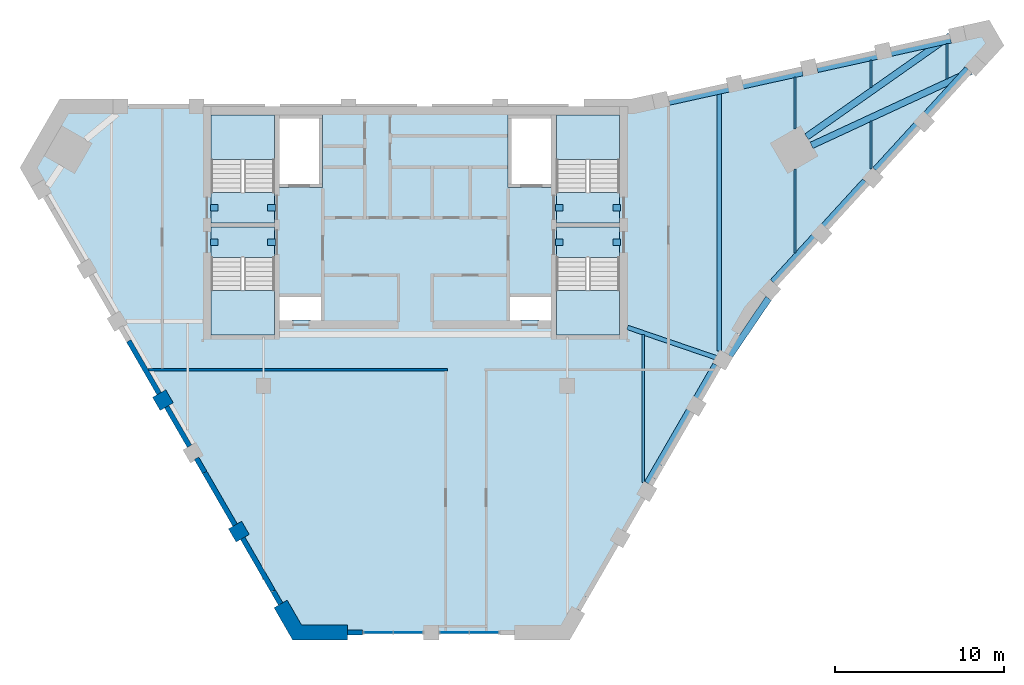
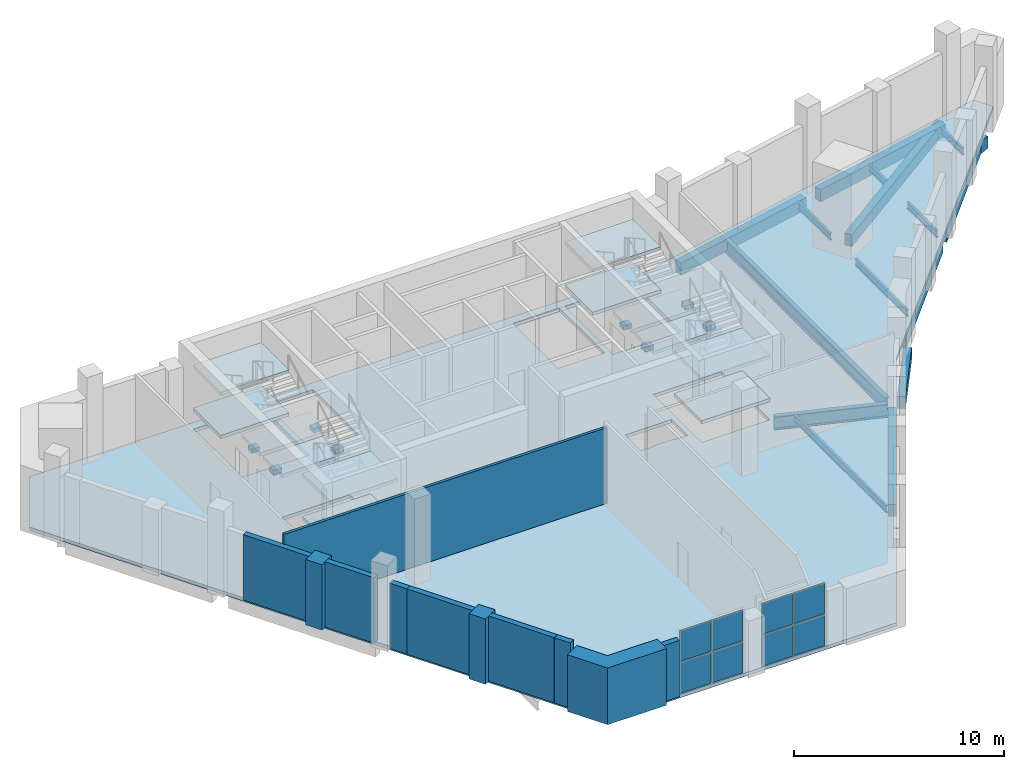
# One storey, part 3 of 9: 24 beams, 13 slabs, 11 walls, 8 plates, 6 elements without a shape of their own.
"""IFC4 building model written with IfcOpenShell, lengths in metres."""

from ifc_helpers import new_model, si_unit, direction, frame, frame_2d, origin, origin_2d, place, context, subcontext, project, spatial, polyline, rectangle, i_section, outline, extrude, material, layer, layer_set, material_profile, profile_set, type_object, element, aggregate, save


model = new_model("IFC4")

# Units and contexts
model_context = context("Model", 3, precision=1e-05, world=origin(), true_north=direction((0.0, 1.0)))
body_context = subcontext(model_context, "Body", "Model", "MODEL_VIEW")
ifc_project = project(units=[si_unit("LENGTHUNIT", "METRE"), si_unit("AREAUNIT", "SQUARE_METRE"), si_unit("VOLUMEUNIT", "CUBIC_METRE"), si_unit("PLANEANGLEUNIT", "RADIAN"), si_unit("MASSUNIT", "GRAM", prefix="KILO")], contexts=[model_context])

# Site, building, storey
site_placement = place(None, origin())
site = spatial("IfcSite", under=ifc_project, at=site_placement, CompositionType="ELEMENT")
building_placement = place(site_placement, origin())
building = spatial("IfcBuilding", under=site, at=building_placement, Name="Calabash Gate Tower", CompositionType="ELEMENT")
storey_placement = place(building_placement, frame((0.0, 0.0, 320.5)))
storey = spatial("IfcBuildingStorey", under=building, at=storey_placement, Name="L75", CompositionType="ELEMENT", Elevation=320.5)

# Beams
ifc_material_1 = material(Name="Concrete C50/60", Category="concrete")
ifc_material_profile_1 = material_profile(ifc_material_1, rectangle(XDim=0.39990234375, YDim=0.699951171875, at=origin_2d()))
ifc_profile_set_1 = profile_set([ifc_material_profile_1], Name="Concrete C50/60")
beam_type_1 = type_object("IfcBeamType", Name="Edge beam RC 400x700 Concrete C50/60", PredefinedType="BEAM", material=ifc_profile_set_1)
beam_1_placement = place(storey_placement, frame((13.760009765625, -3.27294921875, -0.550048828125), z_axis=(0.500104308266, 0.865965173003, 0.0), x_axis=(-0.865965173003, 0.500104308266, 0.0)))
element("IfcBeam", 1, at=beam_1_placement, inside=storey, type_object=beam_type_1, Name="Edge beam L75 2", PredefinedType="BEAM", context=body_context, shape_type="SweptSolid", body=[
    extrude(rectangle(XDim=0.39990234375, YDim=0.699951171875, at=origin_2d()), origin(), (0.0, 0.0, 1.0), 8.098388671875),
])
beam_2_placement = place(storey_placement, frame((18.623046875, 4.283935546875, -0.550048828125), z_axis=(0.561853107026, 0.827237019315, 0.0), x_axis=(-0.827237019315, 0.561853107026, 0.0)))
element("IfcBeam", 2, at=beam_2_placement, inside=storey, type_object=beam_type_1, Name="Edge beam L75 3", PredefinedType="BEAM", context=body_context, shape_type="SweptSolid", body=[
    extrude(rectangle(XDim=0.39990234375, YDim=0.699951171875, at=origin_2d()), origin(), (0.0, 0.0, 1.0), 4.107666015625),
])
beam_3_placement = place(storey_placement, frame((21.18701171875, 8.652099609375, -0.550048828125), z_axis=(0.674873802315, 0.737933161573, 0.0), x_axis=(-0.737933161573, 0.674873802315, 0.0)))
element("IfcBeam", 3, at=beam_3_placement, inside=storey, type_object=beam_type_1, Name="Edge beam L75 4", PredefinedType="BEAM", context=body_context, shape_type="SweptSolid", body=[
    extrude(rectangle(XDim=0.39990234375, YDim=0.699951171875, at=origin_2d()), origin(), (0.0, 0.0, 1.0), 8.099365234375),
])
beam_4_placement = place(storey_placement, frame((27.260009765625, 15.29296875, -0.550048828125), z_axis=(0.67486440312, 0.737941757459, 0.0), x_axis=(-0.737941757459, 0.67486440312, 0.0)))
element("IfcBeam", 4, at=beam_4_placement, inside=storey, type_object=beam_type_1, Name="Edge beam L75 5", PredefinedType="BEAM", context=body_context, shape_type="SweptSolid", body=[
    extrude(rectangle(XDim=0.39990234375, YDim=0.699951171875, at=origin_2d()), origin(), (0.0, 0.0, 1.0), 8.100830078125),
])
beam_5_placement = place(storey_placement, frame((32.924072265625, 21.1298828125, -0.550048828125), z_axis=(-0.907165927894, -0.420773073364, 0.0), x_axis=(0.420773073364, -0.907165927894, 0.0)))
element("IfcBeam", 5, at=beam_5_placement, inside=storey, type_object=beam_type_1, Name="Edge beam L75 6", PredefinedType="BEAM", context=body_context, shape_type="SweptSolid", body=[
    extrude(rectangle(XDim=0.39990234375, YDim=0.699951171875, at=origin_2d()), origin(), (0.0, 0.0, 1.0), 10.413818359375),
])
beam_6_placement = place(storey_placement, frame((23.18310546875, 17.25390625, -0.550048828125), z_axis=(0.817868224599, 0.575405567571, 0.0), x_axis=(-0.575405567571, 0.817868224599, 0.0)))
element("IfcBeam", 6, at=beam_6_placement, inside=storey, type_object=beam_type_1, Name="Edge beam L75 7", PredefinedType="BEAM", context=body_context, shape_type="SweptSolid", body=[
    extrude(rectangle(XDim=0.39990234375, YDim=0.699951171875, at=origin_2d()), origin(), (0.0, 0.0, 1.0), 10.396484375),
])
beam_7_placement = place(storey_placement, frame((31.72705078125, 23.006103515625, -0.550048828125), z_axis=(-0.976492437334, -0.215551663945, 0.0), x_axis=(0.215551663945, -0.976492437334, 0.0)))
element("IfcBeam", 7, at=beam_7_placement, inside=storey, type_object=beam_type_1, Name="Edge beam L75 8", PredefinedType="BEAM", context=body_context, shape_type="SweptSolid", body=[
    extrude(rectangle(XDim=0.39990234375, YDim=0.699951171875, at=origin_2d()), origin(), (0.0, 0.0, 1.0), 8.1005859375),
])
beam_8_placement = place(storey_placement, frame((22.93603515625, 21.06591796875, -0.550048828125), z_axis=(-0.976517152373, -0.215439669332, 0.0), x_axis=(0.215439669332, -0.976517152373, 0.0)))
element("IfcBeam", 8, at=beam_8_placement, inside=storey, type_object=beam_type_1, Name="Edge beam L75 9", PredefinedType="BEAM", context=body_context, shape_type="SweptSolid", body=[
    extrude(rectangle(XDim=0.39990234375, YDim=0.699951171875, at=origin_2d()), origin(), (0.0, 0.0, 1.0), 8.09912109375),
])
ifc_material_2 = material(Name="Steel ASTM A992 Gr50", Category="steel")
ifc_material_profile_2 = material_profile(ifc_material_2, i_section(OverallWidth=0.1396484375, OverallDepth=0.398681640625, WebThickness=0.00634765625, FlangeThickness=0.0087890625, FilletRadius=0.01025390625, at=origin_2d()))
ifc_profile_set_2 = profile_set([ifc_material_profile_2], Name="Steel ASTM A992 Gr50")
beam_type_2 = type_object("IfcBeamType", Name="Floor beam W16x26 ASTM A992 Gr50", PredefinedType="BEAM", material=ifc_profile_set_2)
beam_9_placement = place(storey_placement, frame((13.5, -3.237060546875, -0.39892578125), z_axis=(0.0, 1.0, 0.0), x_axis=(-1.0, 0.0, 0.0)))
element("IfcBeam", 9, at=beam_9_placement, inside=storey, type_object=beam_type_2, Name="Floor beam L75 7", PredefinedType="BEAM", context=body_context, shape_type="SweptSolid", body=[
    extrude(i_section(OverallWidth=0.1396484375, OverallDepth=0.398681640625, WebThickness=0.00634765625, FlangeThickness=0.0087890625, FilletRadius=0.01025390625, at=origin_2d()), origin(), (0.0, 0.0, 1.0), 8.76806640625),
])
beam_10_placement = place(storey_placement, frame((22.5, 10.3720703125, -0.39892578125), z_axis=(0.0, 1.0, 0.0), x_axis=(-1.0, 0.0, 0.0)))
element("IfcBeam", 10, at=beam_10_placement, inside=storey, type_object=beam_type_2, Name="Floor beam L75 9", PredefinedType="BEAM", context=body_context, shape_type="SweptSolid", body=[
    extrude(i_section(OverallWidth=0.1396484375, OverallDepth=0.398681640625, WebThickness=0.00634765625, FlangeThickness=0.0087890625, FilletRadius=0.01025390625, at=origin_2d()), origin(), (0.0, 0.0, 1.0), 4.969970703125),
])
beam_11_placement = place(storey_placement, frame((22.5, 17.702880859375, -0.39892578125), z_axis=(0.0, 1.0, 0.0), x_axis=(-1.0, 0.0, 0.0)))
element("IfcBeam", 11, at=beam_11_placement, inside=storey, type_object=beam_type_2, Name="Floor beam L75 10", PredefinedType="BEAM", context=body_context, shape_type="SweptSolid", body=[
    extrude(i_section(OverallWidth=0.1396484375, OverallDepth=0.398681640625, WebThickness=0.00634765625, FlangeThickness=0.0087890625, FilletRadius=0.01025390625, at=origin_2d()), origin(), (0.0, 0.0, 1.0), 3.09423828125),
])
beam_12_placement = place(storey_placement, frame((27.0, 15.35693359375, -0.39892578125), z_axis=(0.0, 1.0, 0.0), x_axis=(-1.0, 0.0, 0.0)))
element("IfcBeam", 12, at=beam_12_placement, inside=storey, type_object=beam_type_2, Name="Floor beam L75 11", PredefinedType="BEAM", context=body_context, shape_type="SweptSolid", body=[
    extrude(i_section(OverallWidth=0.1396484375, OverallDepth=0.398681640625, WebThickness=0.00634765625, FlangeThickness=0.0087890625, FilletRadius=0.01025390625, at=origin_2d()), origin(), (0.0, 0.0, 1.0), 2.8271484375),
])
beam_13_placement = place(storey_placement, frame((27.0, 20.172119140625, -0.39892578125), z_axis=(0.0, 1.0, 0.0), x_axis=(-1.0, 0.0, 0.0)))
element("IfcBeam", 13, at=beam_13_placement, inside=storey, type_object=beam_type_2, Name="Floor beam L75 12", PredefinedType="BEAM", context=body_context, shape_type="SweptSolid", body=[
    extrude(i_section(OverallWidth=0.1396484375, OverallDepth=0.398681640625, WebThickness=0.00634765625, FlangeThickness=0.0087890625, FilletRadius=0.01025390625, at=origin_2d()), origin(), (0.0, 0.0, 1.0), 1.617919921875),
])
beam_14_placement = place(storey_placement, frame((31.5, 20.66796875, -0.39892578125), z_axis=(0.0, 1.0, 0.0), x_axis=(-1.0, 0.0, 0.0)))
element("IfcBeam", 14, at=beam_14_placement, inside=storey, type_object=beam_type_2, Name="Floor beam L75 13", PredefinedType="BEAM", context=body_context, shape_type="SweptSolid", body=[
    extrude(i_section(OverallWidth=0.1396484375, OverallDepth=0.398681640625, WebThickness=0.00634765625, FlangeThickness=0.0087890625, FilletRadius=0.01025390625, at=origin_2d()), origin(), (0.0, 0.0, 1.0), 2.114990234375),
])
ifc_material_3 = material(Name="Steel ASTM A992 Gr50", Category="steel")
ifc_material_profile_3 = material_profile(ifc_material_3, i_section(OverallWidth=0.2666015625, OverallDepth=0.7568359375, WebThickness=0.013916015625, FlangeThickness=0.019287109375, FilletRadius=0.0166015625, at=origin_2d()))
ifc_profile_set_3 = profile_set([ifc_material_profile_3], Name="Steel ASTM A992 Gr50")
beam_type_3 = type_object("IfcBeamType", Name="Floor beam W30x108 ASTM A992 Gr50", PredefinedType="BEAM", material=ifc_profile_set_3)
beam_15_placement = place(storey_placement, frame((18.0, 4.547119140625, -0.577880859375), z_axis=(0.0, 1.0, 0.0), x_axis=(-1.0, 0.0, 0.0)))
element("IfcBeam", 15, at=beam_15_placement, inside=storey, type_object=beam_type_3, Name="Floor beam L75 8", PredefinedType="BEAM", context=body_context, shape_type="SweptSolid", body=[
    extrude(i_section(OverallWidth=0.2666015625, OverallDepth=0.7568359375, WebThickness=0.013916015625, FlangeThickness=0.019287109375, FilletRadius=0.0166015625, at=origin_2d()), origin(), (0.0, 0.0, 1.0), 15.2568359375),
])
ifc_material_4 = material(Name="Steel ASTM A992 Gr50", Category="steel")
ifc_material_profile_4 = material_profile(ifc_material_4, i_section(OverallWidth=0.2666015625, OverallDepth=0.77978515625, WebThickness=0.0166015625, FlangeThickness=0.030029296875, FilletRadius=0.0166015625, at=origin_2d()))
ifc_profile_set_4 = profile_set([ifc_material_profile_4], Name="Steel ASTM A992 Gr50")
beam_type_4 = type_object("IfcBeamType", Name="Girder W30x148 ASTM A992 Gr50", PredefinedType="BEAM", material=ifc_profile_set_4)
beam_16_placement = place(storey_placement, frame((17.803955078125, 4.16796875, -0.590087890625), z_axis=(-0.946191727355, 0.323606574539, 0.0), x_axis=(-0.323606574539, -0.946191727355, 0.0)))
element("IfcBeam", 16, at=beam_16_placement, inside=storey, type_object=beam_type_4, Name="Girder L75 3", PredefinedType="BEAM", context=body_context, shape_type="SweptSolid", body=[
    extrude(i_section(OverallWidth=0.2666015625, OverallDepth=0.77978515625, WebThickness=0.0166015625, FlangeThickness=0.030029296875, FilletRadius=0.0166015625, at=origin_2d()), origin(), (0.0, 0.0, 1.0), 5.531494140625),
])
ifc_material_5 = material(Name="Concrete C60/75", Category="concrete")
ifc_material_profile_5 = material_profile(ifc_material_5, rectangle(XDim=0.39990234375, YDim=0.25, at=origin_2d()))
ifc_profile_set_5 = profile_set([ifc_material_profile_5], Name="Concrete C60/75")
beam_type_5 = type_object("IfcBeamType", Name="Landing corbel RC 400x250 Concrete C60/75", PredefinedType="BEAM", material=ifc_profile_set_5)
for number, where, z_axis, x_axis, name in (
    (17, (-12.14990234375, 13.052978515625, 2.174072265625), (1.0, 0.0, 0.0), (0.0, 1.0, 0.0), "Landing corbel ST1-L75/L2 west"),
    (18, (-8.300048828125, 13.052978515625, 2.174072265625), (-1.0, 0.0, 0.0), (0.0, -1.0, 0.0), "Landing corbel ST1-L75/L2 east"),
    (19, (-12.14990234375, 11.0029296875, 2.174072265625), (1.0, 0.0, 0.0), (0.0, 1.0, 0.0), "Landing corbel ST2-L75/L2 west"),
    (20, (-8.300048828125, 11.0029296875, 2.174072265625), (-1.0, 0.0, 0.0), (0.0, -1.0, 0.0), "Landing corbel ST2-L75/L2 east"),
    (21, (8.300048828125, 13.052978515625, 2.174072265625), (1.0, 0.0, 0.0), (0.0, 1.0, 0.0), "Landing corbel ST3-L75/L2 west"),
    (22, (12.14990234375, 13.052978515625, 2.174072265625), (-1.0, 0.0, 0.0), (0.0, -1.0, 0.0), "Landing corbel ST3-L75/L2 east"),
    (23, (8.300048828125, 11.0029296875, 2.174072265625), (1.0, 0.0, 0.0), (0.0, 1.0, 0.0), "Landing corbel ST4-L75/L2 west"),
    (24, (12.14990234375, 11.0029296875, 2.174072265625), (-1.0, 0.0, 0.0), (0.0, -1.0, 0.0), "Landing corbel ST4-L75/L2 east"),
):
    element("IfcBeam", number, at=place(storey_placement, frame(where, z_axis=z_axis, x_axis=x_axis)), inside=storey, type_object=beam_type_5, Name=name, PredefinedType="BEAM", context=body_context, shape_type="SweptSolid", body=[
        extrude(rectangle(XDim=0.39990234375, YDim=0.25, at=origin_2d()), origin(), (0.0, 0.0, 1.0), 0.449951171875),
    ])

# Curtain wall, plates
ifc_material_6 = material(Name="Anodised aluminium frame, bronze finish, clear laminated impact-rated glazing", Category="aluminium")
curtain_wall_type = type_object("IfcCurtainWallType", Name="Curtain wall CWV crown wall", PredefinedType="NOTDEFINED", material=ifc_material_6)
curtain_wall_1_placement = place(storey_placement, origin())
curtain_wall_1 = element("IfcCurtainWall", 25, at=curtain_wall_1_placement, inside=storey, type_object=curtain_wall_type, Name="Curtain wall CWV L75 crown1.1", PredefinedType="NOTDEFINED")
ifc_material_7 = material(Name="Clear laminated impact-rated glazing", Category="glass")
ifc_layer_1 = layer(ifc_material_7, 0.0439453125)
ifc_layer_set_1 = layer_set([ifc_layer_1], Name="Glass panel CWV 44")
plate_type = type_object("IfcPlateType", Name="Glass panel CWV 44", PredefinedType="CURTAIN_PANEL", material=ifc_layer_set_1)
plate_1_placement = place(storey_placement, frame((-2.1953125, -12.1220703125, 0.074951171875), z_axis=(0.0, 0.0, 1.0), x_axis=(1.0, 0.0, 0.0)))
plate_1 = element("IfcPlate", 26, at=plate_1_placement, type_object=plate_type, Name="CWV panel 1.1", PredefinedType="CURTAIN_PANEL", context=body_context, shape_type="SweptSolid", body=[
    extrude(rectangle(XDim=1.6875, YDim=0.0439453125, at=origin_2d()), origin(), (0.0, 0.0, 1.0), 1.78759765625),
])
plate_2_placement = place(storey_placement, frame((-2.1953125, -12.1220703125, 1.9375), z_axis=(0.0, 0.0, 1.0), x_axis=(1.0, 0.0, 0.0)))
plate_2 = element("IfcPlate", 27, at=plate_2_placement, type_object=plate_type, Name="CWV panel 1.2", PredefinedType="CURTAIN_PANEL", context=body_context, shape_type="SweptSolid", body=[
    extrude(rectangle(XDim=1.6875, YDim=0.0439453125, at=origin_2d()), origin(), (0.0, 0.0, 1.0), 1.78759765625),
])
plate_3_placement = place(storey_placement, frame((-0.432861328125, -12.1220703125, 0.074951171875), z_axis=(0.0, 0.0, 1.0), x_axis=(1.0, 0.0, 0.0)))
plate_3 = element("IfcPlate", 28, at=plate_3_placement, type_object=plate_type, Name="CWV panel 2.1", PredefinedType="CURTAIN_PANEL", context=body_context, shape_type="SweptSolid", body=[
    extrude(rectangle(XDim=1.6875, YDim=0.0439453125, at=origin_2d()), origin(), (0.0, 0.0, 1.0), 1.78759765625),
])
plate_4_placement = place(storey_placement, frame((-0.432861328125, -12.1220703125, 1.9375), z_axis=(0.0, 0.0, 1.0), x_axis=(1.0, 0.0, 0.0)))
plate_4 = element("IfcPlate", 29, at=plate_4_placement, type_object=plate_type, Name="CWV panel 2.2", PredefinedType="CURTAIN_PANEL", context=body_context, shape_type="SweptSolid", body=[
    extrude(rectangle(XDim=1.6875, YDim=0.0439453125, at=origin_2d()), origin(), (0.0, 0.0, 1.0), 1.78759765625),
])
aggregate(curtain_wall_1, [plate_1, plate_2, plate_3, plate_4])

curtain_wall_2_placement = place(storey_placement, origin())
curtain_wall_2 = element("IfcCurtainWall", 30, at=curtain_wall_2_placement, inside=storey, type_object=curtain_wall_type, Name="Curtain wall CWV L75 crown1.2", PredefinedType="NOTDEFINED")
plate_5_placement = place(storey_placement, frame((2.3046875, -12.1220703125, 0.074951171875), z_axis=(0.0, 0.0, 1.0), x_axis=(1.0, 0.0, 0.0)))
plate_5 = element("IfcPlate", 31, at=plate_5_placement, type_object=plate_type, Name="CWV panel 1.1", PredefinedType="CURTAIN_PANEL", context=body_context, shape_type="SweptSolid", body=[
    extrude(rectangle(XDim=1.6875, YDim=0.0439453125, at=origin_2d()), origin(), (0.0, 0.0, 1.0), 1.78759765625),
])
plate_6_placement = place(storey_placement, frame((2.3046875, -12.1220703125, 1.9375), z_axis=(0.0, 0.0, 1.0), x_axis=(1.0, 0.0, 0.0)))
plate_6 = element("IfcPlate", 32, at=plate_6_placement, type_object=plate_type, Name="CWV panel 1.2", PredefinedType="CURTAIN_PANEL", context=body_context, shape_type="SweptSolid", body=[
    extrude(rectangle(XDim=1.6875, YDim=0.0439453125, at=origin_2d()), origin(), (0.0, 0.0, 1.0), 1.78759765625),
])
plate_7_placement = place(storey_placement, frame((4.067138671875, -12.1220703125, 0.074951171875), z_axis=(0.0, 0.0, 1.0), x_axis=(1.0, 0.0, 0.0)))
plate_7 = element("IfcPlate", 33, at=plate_7_placement, type_object=plate_type, Name="CWV panel 2.1", PredefinedType="CURTAIN_PANEL", context=body_context, shape_type="SweptSolid", body=[
    extrude(rectangle(XDim=1.6875, YDim=0.0439453125, at=origin_2d()), origin(), (0.0, 0.0, 1.0), 1.78759765625),
])
plate_8_placement = place(storey_placement, frame((4.067138671875, -12.1220703125, 1.9375), z_axis=(0.0, 0.0, 1.0), x_axis=(1.0, 0.0, 0.0)))
plate_8 = element("IfcPlate", 34, at=plate_8_placement, type_object=plate_type, Name="CWV panel 2.2", PredefinedType="CURTAIN_PANEL", context=body_context, shape_type="SweptSolid", body=[
    extrude(rectangle(XDim=1.6875, YDim=0.0439453125, at=origin_2d()), origin(), (0.0, 0.0, 1.0), 1.78759765625),
])
aggregate(curtain_wall_2, [plate_5, plate_6, plate_7, plate_8])

# Slab
ifc_material_8 = material(Name="Concrete C40/50", Category="concrete")
ifc_layer_2 = layer(ifc_material_8, 0.199951171875)
ifc_layer_set_2 = layer_set([ifc_layer_2], Name="Reinforced concrete floor slab 200 Concrete C40/50")
slab_type_1 = type_object("IfcSlabType", Name="Reinforced concrete floor slab 200 Concrete C40/50", PredefinedType="FLOOR", material=ifc_layer_set_2)
slab_1_placement = place(storey_placement, frame((0.0, 0.0, -0.199951171875)))
element("IfcSlab", 35, at=slab_1_placement, inside=storey, type_object=slab_type_1, Name="Floor slab L75", PredefinedType="FLOOR", context=body_context, shape_type="SweptSolid", body=[
    extrude(outline(polyline([(-22.9111328125, 15.41796875), (-20.812744140625, 19.052490234375), (12.88134765625, 19.052490234375), (33.783935546875, 23.664794921875), (34.326904296875, 22.724365234375), (19.88134765625, 6.92822265625), (8.8828125, -12.1220703125), (-7.010986328125, -12.1220703125), (-22.9111328125, 15.41796875)]), holes=[polyline([(-8.050048828125, 18.552490234375), (-8.050048828125, 14.252685546875), (-5.5, 14.252685546875), (-5.5, 18.552490234375), (-8.050048828125, 18.552490234375)]), polyline([(8.050048828125, 18.552490234375), (5.5, 18.552490234375), (5.5, 14.252685546875), (8.050048828125, 14.252685546875), (8.050048828125, 18.552490234375)]), polyline([(-8.35009765625, 18.552490234375), (-12.10009765625, 18.552490234375), (-12.10009765625, 13.95263671875), (-8.35009765625, 13.95263671875), (-8.35009765625, 18.552490234375)]), polyline([(-12.10009765625, 10.1025390625), (-12.10009765625, 5.502685546875), (-8.35009765625, 5.502685546875), (-8.35009765625, 10.1025390625), (-12.10009765625, 10.1025390625)]), polyline([(8.35009765625, 13.95263671875), (12.10009765625, 13.95263671875), (12.10009765625, 18.552490234375), (8.35009765625, 18.552490234375), (8.35009765625, 13.95263671875)]), polyline([(12.10009765625, 5.502685546875), (12.10009765625, 10.1025390625), (8.35009765625, 10.1025390625), (8.35009765625, 5.502685546875), (12.10009765625, 5.502685546875)]), polyline([(-7.324951171875, 6.3525390625), (-7.324951171875, 6.402587890625), (-6.22509765625, 6.402587890625), (-6.22509765625, 6.3525390625), (-5.5, 6.3525390625), (-5.5, 7.8525390625), (-8.050048828125, 7.8525390625), (-8.050048828125, 6.3525390625), (-7.324951171875, 6.3525390625)]), polyline([(5.5, 6.3525390625), (6.22509765625, 6.3525390625), (6.22509765625, 6.402587890625), (7.324951171875, 6.402587890625), (7.324951171875, 6.3525390625), (8.050048828125, 6.3525390625), (8.050048828125, 7.8525390625), (5.5, 7.8525390625), (5.5, 6.3525390625)])]), origin(), (0.0, 0.0, 1.0), 0.199951171875),
])

# Stair, slabs
ifc_material_9 = material(Name="Concrete C40/50", Category="concrete")
stair_type = type_object("IfcStairType", Name="Exit stair 32 risers of 156.2 mm", PredefinedType="HALF_TURN_STAIR", material=ifc_material_9)
stair_1_placement = place(storey_placement, origin())
stair_1 = element("IfcStair", 36, at=stair_1_placement, inside=storey, type_object=stair_type, Name="L75 Exit stair ST1", PredefinedType="HALF_TURN_STAIR")
ifc_material_10 = material(Name="Concrete C40/50", Category="concrete")
ifc_layer_3 = layer(ifc_material_10, 0.199951171875)
ifc_layer_set_3 = layer_set([ifc_layer_3], Name="Stair landing SL200")
slab_type_2 = type_object("IfcSlabType", Name="Stair landing SL200", PredefinedType="LANDING", material=ifc_layer_set_3)
slab_2_placement = place(storey_placement, frame((0.0, 0.0, 1.050048828125)))
slab_2 = element("IfcSlab", 37, at=slab_2_placement, type_object=slab_type_2, Name="ST1 landing 1", PredefinedType="LANDING", context=body_context, shape_type="SweptSolid", body=[
    extrude(outline(polyline([(-8.35009765625, 15.905517578125), (-8.35009765625, 18.552490234375), (-12.10009765625, 18.552490234375), (-12.10009765625, 15.905517578125), (-8.35009765625, 15.905517578125)])), origin(), (0.0, 0.0, 1.0), 0.199951171875),
])
slab_3_placement = place(storey_placement, frame((0.0, 0.0, 2.300048828125)))
slab_3 = element("IfcSlab", 38, at=slab_3_placement, type_object=slab_type_2, Name="ST1 landing 2", PredefinedType="LANDING", context=body_context, shape_type="SweptSolid", body=[
    extrude(outline(polyline([(-8.35009765625, 12.152587890625), (-8.35009765625, 13.95263671875), (-12.10009765625, 13.95263671875), (-12.10009765625, 12.152587890625), (-8.35009765625, 12.152587890625)])), origin(), (0.0, 0.0, 1.0), 0.199951171875),
])
slab_4_placement = place(storey_placement, frame((0.0, 0.0, 3.550048828125)))
slab_4 = element("IfcSlab", 39, at=slab_4_placement, type_object=slab_type_2, Name="ST1 landing 3", PredefinedType="LANDING", context=body_context, shape_type="SweptSolid", body=[
    extrude(outline(polyline([(-8.35009765625, 15.905517578125), (-8.35009765625, 18.552490234375), (-12.10009765625, 18.552490234375), (-12.10009765625, 15.905517578125), (-8.35009765625, 15.905517578125)])), origin(), (0.0, 0.0, 1.0), 0.199951171875),
])
aggregate(stair_1, [slab_2, slab_3, slab_4])

stair_2_placement = place(storey_placement, origin())
stair_2 = element("IfcStair", 40, at=stair_2_placement, inside=storey, type_object=stair_type, Name="L75 Exit stair ST2", PredefinedType="HALF_TURN_STAIR")
slab_5_placement = place(storey_placement, frame((0.0, 0.0, 1.050048828125)))
slab_5 = element("IfcSlab", 41, at=slab_5_placement, type_object=slab_type_2, Name="ST2 landing 1", PredefinedType="LANDING", context=body_context, shape_type="SweptSolid", body=[
    extrude(outline(polyline([(-12.10009765625, 8.149658203125), (-12.10009765625, 5.502685546875), (-8.35009765625, 5.502685546875), (-8.35009765625, 8.149658203125), (-12.10009765625, 8.149658203125)])), origin(), (0.0, 0.0, 1.0), 0.199951171875),
])
slab_6_placement = place(storey_placement, frame((0.0, 0.0, 2.300048828125)))
slab_6 = element("IfcSlab", 42, at=slab_6_placement, type_object=slab_type_2, Name="ST2 landing 2", PredefinedType="LANDING", context=body_context, shape_type="SweptSolid", body=[
    extrude(outline(polyline([(-12.10009765625, 11.902587890625), (-12.10009765625, 10.1025390625), (-8.35009765625, 10.1025390625), (-8.35009765625, 11.902587890625), (-12.10009765625, 11.902587890625)])), origin(), (0.0, 0.0, 1.0), 0.199951171875),
])
slab_7_placement = place(storey_placement, frame((0.0, 0.0, 3.550048828125)))
slab_7 = element("IfcSlab", 43, at=slab_7_placement, type_object=slab_type_2, Name="ST2 landing 3", PredefinedType="LANDING", context=body_context, shape_type="SweptSolid", body=[
    extrude(outline(polyline([(-12.10009765625, 8.149658203125), (-12.10009765625, 5.502685546875), (-8.35009765625, 5.502685546875), (-8.35009765625, 8.149658203125), (-12.10009765625, 8.149658203125)])), origin(), (0.0, 0.0, 1.0), 0.199951171875),
])
aggregate(stair_2, [slab_5, slab_6, slab_7])

stair_3_placement = place(storey_placement, origin())
stair_3 = element("IfcStair", 44, at=stair_3_placement, inside=storey, type_object=stair_type, Name="L75 Exit stair ST3", PredefinedType="HALF_TURN_STAIR")
slab_8_placement = place(storey_placement, frame((0.0, 0.0, 1.050048828125)))
slab_8 = element("IfcSlab", 45, at=slab_8_placement, type_object=slab_type_2, Name="ST3 landing 1", PredefinedType="LANDING", context=body_context, shape_type="SweptSolid", body=[
    extrude(outline(polyline([(12.10009765625, 15.905517578125), (12.10009765625, 18.552490234375), (8.35009765625, 18.552490234375), (8.35009765625, 15.905517578125), (12.10009765625, 15.905517578125)])), origin(), (0.0, 0.0, 1.0), 0.199951171875),
])
slab_9_placement = place(storey_placement, frame((0.0, 0.0, 2.300048828125)))
slab_9 = element("IfcSlab", 46, at=slab_9_placement, type_object=slab_type_2, Name="ST3 landing 2", PredefinedType="LANDING", context=body_context, shape_type="SweptSolid", body=[
    extrude(outline(polyline([(12.10009765625, 12.152587890625), (12.10009765625, 13.95263671875), (8.35009765625, 13.95263671875), (8.35009765625, 12.152587890625), (12.10009765625, 12.152587890625)])), origin(), (0.0, 0.0, 1.0), 0.199951171875),
])
slab_10_placement = place(storey_placement, frame((0.0, 0.0, 3.550048828125)))
slab_10 = element("IfcSlab", 47, at=slab_10_placement, type_object=slab_type_2, Name="ST3 landing 3", PredefinedType="LANDING", context=body_context, shape_type="SweptSolid", body=[
    extrude(outline(polyline([(12.10009765625, 15.905517578125), (12.10009765625, 18.552490234375), (8.35009765625, 18.552490234375), (8.35009765625, 15.905517578125), (12.10009765625, 15.905517578125)])), origin(), (0.0, 0.0, 1.0), 0.199951171875),
])
aggregate(stair_3, [slab_8, slab_9, slab_10])

stair_4_placement = place(storey_placement, origin())
stair_4 = element("IfcStair", 48, at=stair_4_placement, inside=storey, type_object=stair_type, Name="L75 Exit stair ST4", PredefinedType="HALF_TURN_STAIR")
slab_11_placement = place(storey_placement, frame((0.0, 0.0, 1.050048828125)))
slab_11 = element("IfcSlab", 49, at=slab_11_placement, type_object=slab_type_2, Name="ST4 landing 1", PredefinedType="LANDING", context=body_context, shape_type="SweptSolid", body=[
    extrude(outline(polyline([(8.35009765625, 8.149658203125), (8.35009765625, 5.502685546875), (12.10009765625, 5.502685546875), (12.10009765625, 8.149658203125), (8.35009765625, 8.149658203125)])), origin(), (0.0, 0.0, 1.0), 0.199951171875),
])
slab_12_placement = place(storey_placement, frame((0.0, 0.0, 2.300048828125)))
slab_12 = element("IfcSlab", 50, at=slab_12_placement, type_object=slab_type_2, Name="ST4 landing 2", PredefinedType="LANDING", context=body_context, shape_type="SweptSolid", body=[
    extrude(outline(polyline([(8.35009765625, 11.902587890625), (8.35009765625, 10.1025390625), (12.10009765625, 10.1025390625), (12.10009765625, 11.902587890625), (8.35009765625, 11.902587890625)])), origin(), (0.0, 0.0, 1.0), 0.199951171875),
])
slab_13_placement = place(storey_placement, frame((0.0, 0.0, 3.550048828125)))
slab_13 = element("IfcSlab", 51, at=slab_13_placement, type_object=slab_type_2, Name="ST4 landing 3", PredefinedType="LANDING", context=body_context, shape_type="SweptSolid", body=[
    extrude(outline(polyline([(8.35009765625, 8.149658203125), (8.35009765625, 5.502685546875), (12.10009765625, 5.502685546875), (12.10009765625, 8.149658203125), (8.35009765625, 8.149658203125)])), origin(), (0.0, 0.0, 1.0), 0.199951171875),
])
aggregate(stair_4, [slab_11, slab_12, slab_13])

# Walls
ifc_material_11 = material(Name="Terracotta brick masonry, exposed face", Category="masonry")
ifc_layer_4 = layer(ifc_material_11, 0.89990234375)
ifc_layer_set_4 = layer_set([ifc_layer_4], Name="Brick end wall 900")
wall_type_1 = type_object("IfcWallType", Name="Brick end wall 900", PredefinedType="SOLIDWALL", material=ifc_layer_set_4)
for number, where, z_axis, x_axis, name in (
    (52, (-15.350830078125, 1.423095703125, 0.0), (0.0, 0.0, 1.0), (0.866081705922, 0.499902469156, 0.0), "Brick pier L75 crown0.3"),
    (53, (-10.850830078125, -6.371337890625, 0.0), (0.0, 0.0, 1.0), (0.865964261186, 0.500105887137, 0.0), "Brick pier L75 crown0.5"),
):
    element("IfcWall", number, at=place(storey_placement, frame(where, z_axis=z_axis, x_axis=x_axis)), inside=storey, type_object=wall_type_1, Name=name, PredefinedType="SOLIDWALL", context=body_context, shape_type="SweptSolid", body=[
        extrude(rectangle(XDim=0.900146484375, YDim=0.89990234375, at=frame_2d((0.4501953125, 0.0))), origin(), (0.0, 0.0, 1.0), 3.800048828125),
    ])
wall_1_placement = place(storey_placement, origin())
element("IfcWall", 54, at=wall_1_placement, inside=storey, type_object=wall_type_1, Name="Brick end wall L75 1", PredefinedType="SOLIDWALL", context=body_context, shape_type="SweptSolid", body=[
    extrude(outline(polyline([(-7.596435546875, -10.2080078125), (-8.375732421875, -10.657958984375), (-7.270751953125, -12.572021484375), (-4.01416015625, -12.572021484375), (-4.01416015625, -11.671875), (-6.751220703125, -11.671875), (-7.596435546875, -10.2080078125)])), origin(), (0.0, 0.0, 1.0), 3.29736328125),
])
ifc_material_12 = material(Name="Gypsum board on steel studs, mineral wool", Category="steel")
ifc_layer_5 = layer(ifc_material_12, 0.14990234375)
ifc_layer_set_5 = layer_set([ifc_layer_5], Name="Partition 150 gypsum board")
wall_type_2 = type_object("IfcWallType", Name="Partition 150 gypsum board", PredefinedType="PARTITIONING", material=ifc_layer_set_5)
wall_2_placement = place(storey_placement, frame((-15.849853515625, 3.45263671875, 0.0), z_axis=(0.0, 0.0, 1.0), x_axis=(1.0, 0.0, 0.0)))
element("IfcWall", 55, at=wall_2_placement, inside=storey, type_object=wall_type_2, Name="Partition", PredefinedType="PARTITIONING", context=body_context, shape_type="SweptSolid", body=[
    extrude(rectangle(XDim=17.7548828125, YDim=0.14990234375, at=frame_2d((8.87744140625, 0.0))), origin(), (0.0, 0.0, 1.0), 4.401611328125),
])
ifc_material_13 = material(Name="Terracotta louvre blades in an aluminium frame", Category="masonry")
ifc_layer_6 = layer(ifc_material_13, 0.300048828125)
ifc_layer_set_6 = layer_set([ifc_layer_6], Name="Terracotta louvre wall 300")
wall_type_3 = type_object("IfcWallType", Name="Terracotta louvre wall 300", PredefinedType="ELEMENTEDWALL", material=ifc_layer_set_6)
wall_3_placement = place(storey_placement, frame((-16.986083984375, 5.155517578125, 0.0), z_axis=(0.0, 0.0, 1.0), x_axis=(0.499982693035, -0.866035395735, 0.0)))
element("IfcWall", 56, at=wall_3_placement, inside=storey, type_object=wall_type_3, Name="LOUVRE L75 crown0.3", PredefinedType="ELEMENTEDWALL", context=body_context, shape_type="SweptSolid", body=[
    extrude(rectangle(XDim=3.600341796875, YDim=0.300048828125, at=frame_2d((1.80029296875, 0.0))), origin(), (0.0, 0.0, 1.0), 3.800048828125),
])
wall_4_placement = place(storey_placement, origin())
element("IfcWall", 57, at=wall_4_placement, inside=storey, type_object=wall_type_3, Name="LOUVRE L75 crown0.4", PredefinedType="ELEMENTEDWALL", context=body_context, shape_type="SweptSolid", body=[
    extrude(outline(polyline([(-14.865966796875, 1.183349609375), (-13.51708984375, -1.1533203125), (-13.257080078125, -1.00341796875), (-14.606201171875, 1.333251953125), (-14.865966796875, 1.183349609375)])), origin(), (0.0, 0.0, 1.0), 3.800048828125),
])
for number, where, z_axis, x_axis, name in (
    (58, (-12.486083984375, -2.638916015625, 0.0), (0.0, 0.0, 1.0), (0.500012057535, -0.866018442252, 0.0), "LOUVRE L75 crown0.5"),
    (59, (-10.236083984375, -6.535888671875, 0.0), (0.0, 0.0, 1.0), (0.500012057535, -0.866018442252, 0.0), "LOUVRE L75 crown0.6"),
):
    element("IfcWall", number, at=place(storey_placement, frame(where, z_axis=z_axis, x_axis=x_axis)), inside=storey, type_object=wall_type_3, Name=name, PredefinedType="ELEMENTEDWALL", context=body_context, shape_type="SweptSolid", body=[
        extrude(rectangle(XDim=3.60009765625, YDim=0.300048828125, at=frame_2d((1.800048828125, 0.0))), origin(), (0.0, 0.0, 1.0), 3.800048828125),
    ])
wall_5_placement = place(storey_placement, frame((-12.488037109375, -2.63525390625, 0.0), z_axis=(0.0, 0.0, 1.0), x_axis=(-0.500079715141, 0.865979375335, 0.0)))
element("IfcWall", 60, at=wall_5_placement, inside=storey, type_object=wall_type_3, Name="LOUVRE L75 edge crown0.c3", PredefinedType="ELEMENTEDWALL", context=body_context, shape_type="SweptSolid", body=[
    extrude(rectangle(XDim=0.966064453125, YDim=0.300048828125, at=frame_2d((0.48291015625, 0.0))), origin(), (0.0, 0.0, 1.0), 3.800048828125),
])
wall_6_placement = place(storey_placement, frame((-7.988037109375, -10.4296875, 0.0), z_axis=(0.0, 0.0, 1.0), x_axis=(-0.499958279983, 0.866049489508, 0.0)))
element("IfcWall", 61, at=wall_6_placement, inside=storey, type_object=wall_type_3, Name="LOUVRE L75 edge crown0.c4", PredefinedType="ELEMENTEDWALL", context=body_context, shape_type="SweptSolid", body=[
    extrude(rectangle(XDim=0.8662109375, YDim=0.300048828125, at=frame_2d((0.43310546875, 0.0))), origin(), (0.0, 0.0, 1.0), 3.800048828125),
])
wall_7_placement = place(storey_placement, frame((-4.010009765625, -12.1220703125, 0.0), z_axis=(0.0, 0.0, 1.0), x_axis=(1.0, 0.0, 0.0)))
element("IfcWall", 62, at=wall_7_placement, inside=storey, type_object=wall_type_3, Name="LOUVRE L75 edge crown1.c5", PredefinedType="ELEMENTEDWALL", context=body_context, shape_type="SweptSolid", body=[
    extrude(rectangle(XDim=0.868896484375, YDim=0.300048828125, at=frame_2d((0.4345703125, 0.0))), origin(), (0.0, 0.0, 1.0), 3.27880859375),
])

save(model, "model.ifc")
